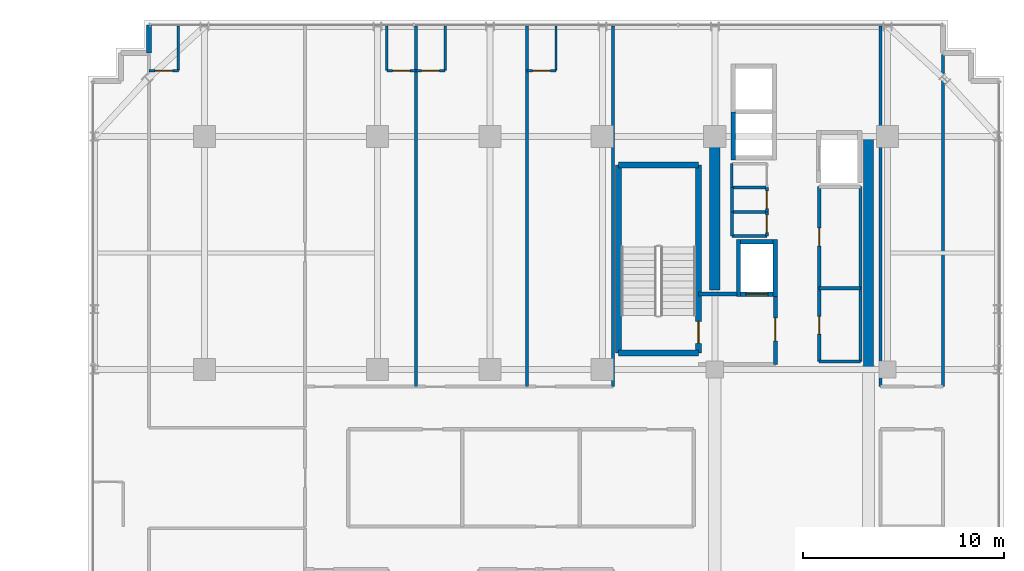
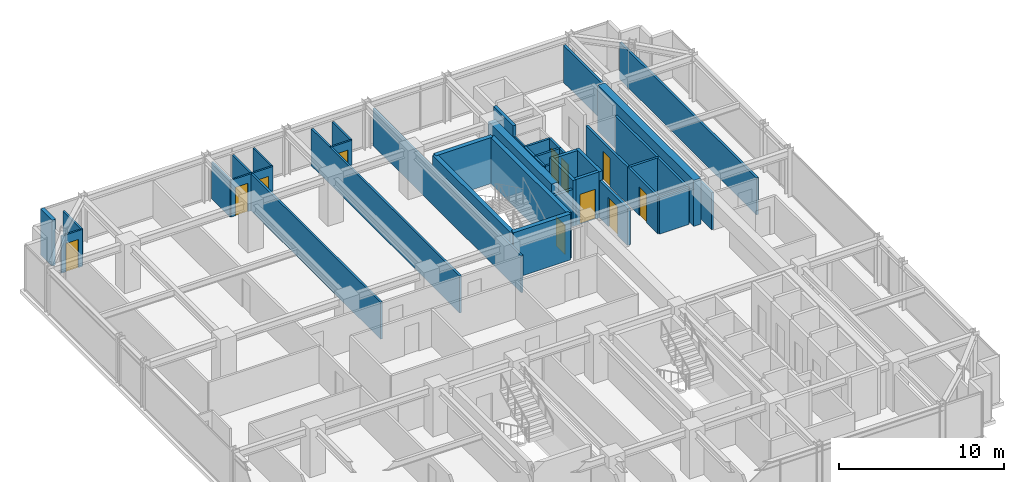
# One storey, part 27 of 31: 41 walls, 11 doors, 11 openings.
"""IFC4 building model written with IfcOpenShell, lengths in metres."""

from ifc_helpers import new_model, si_unit, direction, frame, frame_2d, origin, place, context, subcontext, project, spatial, rectangle, extrude, source, transform, mapped, material, layer, layer_set, type_object, element, fill, save


model = new_model("IFC4")

# Units and contexts
model_context = context("Model", 3, precision=1e-05, world=origin(), true_north=direction((0.0, 1.0)))
body_context = subcontext(model_context, "Body", "Model", "MODEL_VIEW")
ifc_project = project(units=[si_unit("LENGTHUNIT", "METRE"), si_unit("AREAUNIT", "SQUARE_METRE"), si_unit("VOLUMEUNIT", "CUBIC_METRE"), si_unit("PLANEANGLEUNIT", "RADIAN"), si_unit("MASSUNIT", "GRAM", prefix="KILO")], contexts=[model_context])

# Site, building, storey
site_placement = place(None, origin())
site = spatial("IfcSite", under=ifc_project, at=site_placement, CompositionType="ELEMENT")
building_placement = place(site_placement, origin())
building = spatial("IfcBuilding", under=site, at=building_placement, Name="Nahalor Promenade Grand Hotel", CompositionType="ELEMENT")
storey_placement = place(building_placement, frame((0.0, 0.0, 156.300048828125)))
storey = spatial("IfcBuildingStorey", under=building, at=storey_placement, Name="L39", CompositionType="ELEMENT", Elevation=156.300048828125)

# Walls
ifc_material_1 = material(Name="Concrete B-60 (C50/60)", Category="concrete")
ifc_layer_1 = layer(ifc_material_1, 0.5)
ifc_layer_set_1 = layer_set([ifc_layer_1], Name="Concrete B-60 (C50/60)")
wall_type_1 = type_object("IfcWallType", Name="Wall-CoreShear-500", PredefinedType="SHEAR", material=ifc_layer_set_1)
shared_shape_1 = source(origin(), body_context, "Body", "SweptSolid", [
    extrude(rectangle(XDim=7.64990234375, YDim=0.5, at=frame_2d((3.824951171875, 0.0))), origin(), (0.0, 0.0, 1.0), 3.389892578125),
])
wall_1_placement = place(storey_placement, frame((8.39990234375, 9.35009765625, 0.0), z_axis=(0.0, 0.0, 1.0), x_axis=(0.0, 1.0, 0.0)))
element("IfcWall", 1, at=wall_1_placement, inside=storey, type_object=wall_type_1, Name="CWALL-L39-NW", PredefinedType="SHEAR", context=body_context, shape_type="MappedRepresentation", body=[
    mapped(shared_shape_1, transform((0.0, 0.0, 0.0), scale=1.0)),
])
shared_shape_2 = source(origin(), body_context, "Body", "SweptSolid", [
    extrude(rectangle(XDim=11.60009765625, YDim=0.5, at=frame_2d((5.800048828125, 0.0))), origin(), (0.0, 0.0, 1.0), 3.389892578125),
])
wall_2_placement = place(storey_placement, frame((16.050048828125, 5.39990234375, 0.0), z_axis=(0.0, 0.0, 1.0), x_axis=(0.0, 1.0, 0.0)))
element("IfcWall", 2, at=wall_2_placement, inside=storey, type_object=wall_type_1, Name="CWALL-L39-NE", PredefinedType="SHEAR", context=body_context, shape_type="MappedRepresentation", body=[
    mapped(shared_shape_2, transform((0.0, 0.0, 0.0), scale=1.0)),
])
ifc_material_2 = material(Name="Concrete B-50 (C40/50)", Category="concrete")
ifc_layer_2 = layer(ifc_material_2, 0.300048828125)
ifc_layer_set_2 = layer_set([ifc_layer_2], Name="Concrete B-50 (C40/50)")
wall_type_2 = type_object("IfcWallType", Name="Wall-ShaftShear-300", PredefinedType="SHEAR", material=ifc_layer_set_2)
shared_shape_3 = source(origin(), body_context, "Body", "SweptSolid", [
    extrude(rectangle(XDim=3.97998046875, YDim=0.300048828125, at=frame_2d((1.989990234375, 0.0))), origin(), (0.0, 0.0, 1.0), 3.389892578125),
])
for number, where, z_axis, x_axis, name in (
    (3, (3.610107421875, 6.2099609375, 0.0), (0.0, 0.0, 1.0), (1.0, 0.0, 0.0), "L39 Exit Stair ST1 Shaft Wall S"),
    (4, (3.610107421875, 15.590087890625, 0.0), (0.0, 0.0, 1.0), (1.0, 0.0, 0.0), "L39 Exit Stair ST1 Shaft Wall N"),
):
    element("IfcWall", number, at=place(storey_placement, frame(where, z_axis=z_axis, x_axis=x_axis)), inside=storey, type_object=wall_type_2, Name=name, PredefinedType="SHEAR", context=body_context, shape_type="MappedRepresentation", body=[
        mapped(shared_shape_3, transform((0.0, 0.0, 0.0), scale=1.0)),
    ])
shared_shape_4 = source(origin(), body_context, "Body", "SweptSolid", [
    extrude(rectangle(XDim=9.380126953125, YDim=0.300048828125, at=frame_2d((4.68994140625, 0.0))), origin(), (0.0, 0.0, 1.0), 3.389892578125),
])
wall_3_placement = place(storey_placement, frame((3.610107421875, 6.2099609375, 0.0), z_axis=(0.0, 0.0, 1.0), x_axis=(0.0, 1.0, 0.0)))
element("IfcWall", 5, at=wall_3_placement, inside=storey, type_object=wall_type_2, Name="L39 Exit Stair ST1 Shaft Wall W", PredefinedType="SHEAR", context=body_context, shape_type="MappedRepresentation", body=[
    mapped(shared_shape_4, transform((0.0, 0.0, 0.0), scale=1.0)),
])

# Wall, opening, door
wall_4_placement = place(storey_placement, frame((7.590087890625, 6.2099609375, 0.0), z_axis=(0.0, 0.0, 1.0), x_axis=(0.0, 1.0, 0.0)))
wall_4 = element("IfcWall", 6, at=wall_4_placement, inside=storey, type_object=wall_type_2, Name="L39 Exit Stair ST1 Shaft Wall E", PredefinedType="SHEAR", context=body_context, shape_type="MappedRepresentation", body=[
    mapped(shared_shape_4, transform((0.0, 0.0, 0.0), scale=1.0)),
])
opening_1_placement = place(wall_4_placement, frame((0.489990234375, 0.0, 0.0)))
opening_1 = element("IfcOpeningElement", 7, at=opening_1_placement, cuts=wall_4, Name="Opening D-ST1", PredefinedType="OPENING", context=body_context, shape_type="SweptSolid", body=[
    extrude(rectangle(XDim=1.10009765625, YDim=2.14990234375, at=frame_2d((0.550048828125, 1.074951171875))), frame((0.0, 0.159912109375, 0.0), z_axis=(0.0, -1.0, 0.0), x_axis=(1.0, 0.0, 0.0)), (0.0, 0.0, 1.0), 0.320068359375),
])
ifc_material_3 = material(Name="Steel S355JR", Category="steel")
door_type_1 = type_object("IfcDoorType", Name="Door-StairFire-1100", OperationType="NOTDEFINED", PredefinedType="DOOR", material=ifc_material_3)
shared_shape_5 = source(origin(), body_context, "Body", "SweptSolid", [
    extrude(rectangle(XDim=1.10009765625, YDim=2.14990234375, at=frame_2d((0.550048828125, 1.074951171875))), frame((0.0, 0.02490234375, 0.0), z_axis=(0.0, -1.0, 0.0), x_axis=(1.0, 0.0, 0.0)), (0.0, 0.0, 1.0), 0.050048828125),
])
door_1_placement = place(opening_1_placement, origin())
door_1 = element("IfcDoor", 8, at=door_1_placement, inside=storey, type_object=door_type_1, Name="DR-STAIR-ST1-L39", OperationType="SINGLE_SWING_RIGHT", OverallHeight=2.14990234375, OverallWidth=1.10009765625, PredefinedType="DOOR", context=body_context, shape_type="MappedRepresentation", body=[
    mapped(shared_shape_5, transform((0.0, 0.0, 0.0), scale=1.0)),
])
fill(opening_1, door_1)

# Walls
ifc_layer_3 = layer(ifc_material_2, 0.219970703125)
ifc_layer_set_3 = layer_set([ifc_layer_3], Name="Concrete B-50 (C40/50)")
wall_type_3 = type_object("IfcWallType", Name="Wall-LiftShaft-220", PredefinedType="SHEAR", material=ifc_layer_set_3)
shared_shape_6 = source(origin(), body_context, "Body", "SweptSolid", [
    extrude(rectangle(XDim=2.385009765625, YDim=0.219970703125, at=frame_2d((1.1923828125, 0.0))), origin(), (0.0, 0.0, 1.0), 3.389892578125),
])
wall_5_placement = place(storey_placement, frame((9.330078125, 15.840087890625, 0.0), z_axis=(0.0, 0.0, 1.0), x_axis=(0.0, 1.0, 0.0)))
element("IfcWall", 9, at=wall_5_placement, inside=storey, type_object=wall_type_3, Name="L39 Lift OB1 Hoistway Wall W", PredefinedType="SHEAR", context=body_context, shape_type="MappedRepresentation", body=[
    mapped(shared_shape_6, transform((0.0, 0.0, 0.0), scale=1.0)),
])
shared_shape_7 = source(origin(), body_context, "Body", "SweptSolid", [
    extrude(rectangle(XDim=2.820068359375, YDim=0.219970703125, at=frame_2d((1.41015625, 0.0))), origin(), (0.0, 0.0, 1.0), 3.389892578125),
])
for number, where, z_axis, x_axis, name in (
    (10, (9.580078125, 9.0400390625, 0.0), (0.0, 0.0, 1.0), (0.0, 1.0, 0.0), "L39 Lift FL1 Hoistway Wall W"),
    (11, (11.419921875, 9.0400390625, 0.0), (0.0, 0.0, 1.0), (0.0, 1.0, 0.0), "L39 Lift FL1 Hoistway Wall E"),
):
    element("IfcWall", number, at=place(storey_placement, frame(where, z_axis=z_axis, x_axis=x_axis)), inside=storey, type_object=wall_type_3, Name=name, PredefinedType="SHEAR", context=body_context, shape_type="MappedRepresentation", body=[
        mapped(shared_shape_7, transform((0.0, 0.0, 0.0), scale=1.0)),
    ])

# Wall, opening, door
shared_shape_8 = source(origin(), body_context, "Body", "SweptSolid", [
    extrude(rectangle(XDim=1.6201171875, YDim=0.219970703125, at=frame_2d((0.81005859375, 0.0))), origin(), (0.0, 0.0, 1.0), 3.389892578125),
])
wall_6_placement = place(storey_placement, frame((9.68994140625, 9.14990234375, 0.0), z_axis=(0.0, 0.0, 1.0), x_axis=(1.0, 0.0, 0.0)))
wall_6 = element("IfcWall", 12, at=wall_6_placement, inside=storey, type_object=wall_type_3, Name="L39 Lift FL1 Hoistway Wall S", PredefinedType="SHEAR", context=body_context, shape_type="MappedRepresentation", body=[
    mapped(shared_shape_8, transform((0.0, 0.0, 0.0), scale=1.0)),
])
opening_2_placement = place(wall_6_placement, frame((0.260009765625, 0.0, 0.0)))
opening_2 = element("IfcOpeningElement", 13, at=opening_2_placement, cuts=wall_6, Name="Opening LD-02", PredefinedType="OPENING", context=body_context, shape_type="SweptSolid", body=[
    extrude(rectangle(XDim=1.10009765625, YDim=2.199951171875, at=frame_2d((0.550048828125, 1.10009765625))), frame((0.0, 0.119873046875, 0.0), z_axis=(0.0, -1.0, 0.0), x_axis=(1.0, 0.0, 0.0)), (0.0, 0.0, 1.0), 0.239990234375),
])
door_type_2 = type_object("IfcDoorType", Name="Door-LiftFF-1100", OperationType="DOUBLE_DOOR_SLIDING", PredefinedType="DOOR", material=ifc_material_3)
shared_shape_9 = source(origin(), body_context, "Body", "SweptSolid", [
    extrude(rectangle(XDim=1.10009765625, YDim=2.199951171875, at=frame_2d((0.550048828125, 1.10009765625))), frame((0.0, 0.02490234375, 0.0), z_axis=(0.0, -1.0, 0.0), x_axis=(1.0, 0.0, 0.0)), (0.0, 0.0, 1.0), 0.050048828125),
])
door_2_placement = place(opening_2_placement, frame((1.10009765625, 0.0, 0.0), z_axis=(0.0, 0.0, 1.0), x_axis=(-1.0, 0.0, 0.0)))
door_2 = element("IfcDoor", 14, at=door_2_placement, inside=storey, type_object=door_type_2, Name="DR-LIFT-FL1-L39", OperationType="DOUBLE_DOOR_SLIDING", OverallHeight=2.199951171875, OverallWidth=1.10009765625, PredefinedType="DOOR", context=body_context, shape_type="MappedRepresentation", body=[
    mapped(shared_shape_9, transform((0.0, 0.0, 0.0), scale=1.0)),
])
fill(opening_2, door_2)

# Walls
wall_7_placement = place(storey_placement, frame((9.68994140625, 11.75, 0.0), z_axis=(0.0, 0.0, 1.0), x_axis=(1.0, 0.0, 0.0)))
element("IfcWall", 15, at=wall_7_placement, inside=storey, type_object=wall_type_3, Name="L39 Lift FL1 Hoistway Wall N", PredefinedType="SHEAR", context=body_context, shape_type="MappedRepresentation", body=[
    mapped(shared_shape_8, transform((0.0, 0.0, 0.0), scale=1.0)),
])
ifc_material_4 = material(Name="Concrete B-40 (C32/40)", Category="concrete")
ifc_layer_4 = layer(ifc_material_4, 0.25)
ifc_layer_set_4 = layer_set([ifc_layer_4], Name="Concrete B-40 (C32/40)")
wall_type_4 = type_object("IfcWallType", Name="Wall-BronzePier-250", PredefinedType="STANDARD", material=ifc_layer_set_4)
shared_shape_10 = source(origin(), body_context, "Body", "SweptSolid", [
    extrude(rectangle(XDim=1.400146484375, YDim=0.25, at=frame_2d((0.7001953125, 0.0))), origin(), (0.0, 0.0, 1.0), 3.389892578125),
])
wall_8_placement = place(storey_placement, frame((-19.760009765625, 21.159912109375, 0.0), z_axis=(0.0, 0.0, 1.0), x_axis=(0.0, 1.0, 0.0)))
element("IfcWall", 16, at=wall_8_placement, inside=storey, type_object=wall_type_4, Name="W-L39-SR-09", PredefinedType="STANDARD", context=body_context, shape_type="MappedRepresentation", body=[
    mapped(shared_shape_10, transform((0.0, 0.0, 0.0), scale=1.0)),
])
ifc_layer_5 = layer(ifc_material_4, 0.199951171875)
ifc_layer_set_5 = layer_set([ifc_layer_5], Name="Concrete B-40 (C32/40)")
wall_type_5 = type_object("IfcWallType", Name="Wall-PartFire-200", PredefinedType="PARTITIONING", material=ifc_layer_set_5)
shared_shape_11 = source(origin(), body_context, "Body", "SweptSolid", [
    extrude(rectangle(XDim=1.89990234375, YDim=0.199951171875, at=frame_2d((0.949951171875, 0.0))), origin(), (0.0, 0.0, 1.0), 2.72998046875),
])
wall_9_placement = place(storey_placement, frame((7.60009765625, 9.14990234375, 0.0), z_axis=(0.0, 0.0, 1.0), x_axis=(1.0, 0.0, 0.0)))
element("IfcWall", 17, at=wall_9_placement, inside=storey, type_object=wall_type_5, Name="W-L39-FF1-N", PredefinedType="PARTITIONING", context=body_context, shape_type="MappedRepresentation", body=[
    mapped(shared_shape_11, transform((0.0, 0.0, 0.0), scale=1.0)),
])

# Wall, opening, door
shared_shape_12 = source(origin(), body_context, "Body", "SweptSolid", [
    extrude(rectangle(XDim=3.5, YDim=0.199951171875, at=frame_2d((1.75, 0.0))), origin(), (0.0, 0.0, 1.0), 2.72998046875),
])
wall_10_placement = place(storey_placement, frame((11.419921875, 5.64990234375, 0.0), z_axis=(0.0, 0.0, 1.0), x_axis=(0.0, 1.0, 0.0)))
wall_10 = element("IfcWall", 18, at=wall_10_placement, inside=storey, type_object=wall_type_5, Name="W-L39-FF1-E", PredefinedType="PARTITIONING", context=body_context, shape_type="MappedRepresentation", body=[
    mapped(shared_shape_12, transform((0.0, 0.0, 0.0), scale=1.0)),
])
opening_3_placement = place(wall_10_placement, frame((1.175048828125, 0.0, 0.0)))
opening_3 = element("IfcOpeningElement", 19, at=opening_3_placement, cuts=wall_10, Name="Opening D-FF1", PredefinedType="OPENING", context=body_context, shape_type="SweptSolid", body=[
    extrude(rectangle(XDim=1.14990234375, YDim=2.14990234375, at=frame_2d((0.574951171875, 1.074951171875))), frame((0.0, 0.10986328125, 0.0), z_axis=(0.0, -1.0, 0.0), x_axis=(1.0, 0.0, 0.0)), (0.0, 0.0, 1.0), 0.219970703125),
])
door_type_3 = type_object("IfcDoorType", Name="Door-FFLobby-1150", OperationType="NOTDEFINED", PredefinedType="DOOR", material=ifc_material_3)
shared_shape_13 = source(origin(), body_context, "Body", "SweptSolid", [
    extrude(rectangle(XDim=1.14990234375, YDim=2.14990234375, at=frame_2d((0.574951171875, 1.074951171875))), frame((0.0, 0.02490234375, 0.0), z_axis=(0.0, -1.0, 0.0), x_axis=(1.0, 0.0, 0.0)), (0.0, 0.0, 1.0), 0.050048828125),
])
door_3_placement = place(opening_3_placement, frame((1.14990234375, 0.0, 0.0), z_axis=(0.0, 0.0, 1.0), x_axis=(-1.0, 0.0, 0.0)))
door_3 = element("IfcDoor", 20, at=door_3_placement, inside=storey, type_object=door_type_3, Name="DR-L39-FFL1", OperationType="SINGLE_SWING_LEFT", OverallHeight=2.14990234375, OverallWidth=1.14990234375, PredefinedType="DOOR", context=body_context, shape_type="MappedRepresentation", body=[
    mapped(shared_shape_13, transform((0.0, 0.0, 0.0), scale=1.0)),
])
fill(opening_3, door_3)

# Walls
ifc_material_5 = material(Name="Acoustic Mineral Gypsum", Category="gypsum")
ifc_layer_6 = layer(ifc_material_5, 0.14990234375)
ifc_layer_set_6 = layer_set([ifc_layer_6], Name="Acoustic Mineral Gypsum")
wall_type_6 = type_object("IfcWallType", Name="Wall-PartService-150", PredefinedType="PARTITIONING", material=ifc_layer_set_6)
shared_shape_14 = source(origin(), body_context, "Body", "SweptSolid", [
    extrude(rectangle(XDim=1.75, YDim=0.14990234375, at=frame_2d((0.875, 0.0))), origin(), (0.0, 0.0, 1.0), 2.72998046875),
])
for number, where, z_axis, x_axis, name in (
    (21, (9.25, 12.050048828125, 0.0), (0.0, 0.0, 1.0), (1.0, 0.0, 0.0), "W-L39-CK3A-S"),
    (22, (9.25, 13.25, 0.0), (0.0, 0.0, 1.0), (1.0, 0.0, 0.0), "W-L39-CK3A-N"),
    (23, (9.25, 14.449951171875, 0.0), (0.0, 0.0, 1.0), (1.0, 0.0, 0.0), "W-L39-CK3B-N"),
):
    element("IfcWall", number, at=place(storey_placement, frame(where, z_axis=z_axis, x_axis=x_axis)), inside=storey, type_object=wall_type_6, Name=name, PredefinedType="PARTITIONING", context=body_context, shape_type="MappedRepresentation", body=[
        mapped(shared_shape_14, transform((0.0, 0.0, 0.0), scale=1.0)),
    ])
ifc_layer_7 = layer(ifc_material_5, 0.159912109375)
ifc_layer_set_7 = layer_set([ifc_layer_7], Name="Acoustic Mineral Gypsum")
wall_type_7 = type_object("IfcWallType", Name="Wall-PartCorridor-160", PredefinedType="PARTITIONING", material=ifc_layer_set_7)
shared_shape_15 = source(origin(), body_context, "Body", "SweptSolid", [
    extrude(rectangle(XDim=2.0498046875, YDim=0.159912109375, at=frame_2d((1.02490234375, 0.0))), origin(), (0.0, 0.0, 1.0), 2.72998046875),
])
for number, where, z_axis, x_axis, name in (
    (24, (13.60009765625, 5.800048828125, 0.0), (0.0, 0.0, 1.0), (1.0, 0.0, 0.0), "W-L39-FRB1A-S"),
    (25, (13.60009765625, 9.449951171875, 0.0), (0.0, 0.0, 1.0), (1.0, 0.0, 0.0), "W-L39-FRB1A-N"),
):
    element("IfcWall", number, at=place(storey_placement, frame(where, z_axis=z_axis, x_axis=x_axis)), inside=storey, type_object=wall_type_7, Name=name, PredefinedType="PARTITIONING", context=body_context, shape_type="MappedRepresentation", body=[
        mapped(shared_shape_15, transform((0.0, 0.0, 0.0), scale=1.0)),
    ])
shared_shape_16 = source(origin(), body_context, "Body", "SweptSolid", [
    extrude(rectangle(XDim=17.949951171875, YDim=0.159912109375, at=frame_2d((8.97509765625, 0.0))), origin(), (0.0, 0.0, 1.0), 2.72998046875),
])
wall_11_placement = place(storey_placement, frame((16.64990234375, 4.550048828125, 0.0), z_axis=(0.0, 0.0, 1.0), x_axis=(0.0, 1.0, 0.0)))
element("IfcWall", 26, at=wall_11_placement, inside=storey, type_object=wall_type_7, Name="W-L39-ENE-W", PredefinedType="PARTITIONING", context=body_context, shape_type="MappedRepresentation", body=[
    mapped(shared_shape_16, transform((0.0, 0.0, 0.0), scale=1.0)),
])
shared_shape_17 = source(origin(), body_context, "Body", "SweptSolid", [
    extrude(rectangle(XDim=16.530029296875, YDim=0.159912109375, at=frame_2d((8.26513671875, 0.0))), origin(), (0.0, 0.0, 1.0), 2.72998046875),
])
wall_12_placement = place(storey_placement, frame((19.760009765625, 4.550048828125, 0.0), z_axis=(0.0, 0.0, 1.0), x_axis=(0.0, 1.0, 0.0)))
element("IfcWall", 27, at=wall_12_placement, inside=storey, type_object=wall_type_7, Name="W-L39-ENE-E", PredefinedType="PARTITIONING", context=body_context, shape_type="MappedRepresentation", body=[
    mapped(shared_shape_17, transform((0.0, 0.0, 0.0), scale=1.0)),
])

# Wall, opening, door
ifc_layer_8 = layer(ifc_material_5, 0.1201171875)
ifc_layer_set_8 = layer_set([ifc_layer_8], Name="Acoustic Mineral Gypsum")
wall_type_8 = type_object("IfcWallType", Name="Wall-PartBath-120", PredefinedType="PARTITIONING", material=ifc_layer_set_8)
shared_shape_18 = source(origin(), body_context, "Body", "SweptSolid", [
    extrude(rectangle(XDim=1.449951171875, YDim=0.1201171875, at=frame_2d((0.72509765625, 0.0))), origin(), (0.0, 0.0, 1.0), 2.72998046875),
])
wall_13_placement = place(storey_placement, frame((-19.760009765625, 20.280029296875, 0.0), z_axis=(0.0, 0.0, 1.0), x_axis=(1.0, 0.0, 0.0)))
wall_13 = element("IfcWall", 28, at=wall_13_placement, inside=storey, type_object=wall_type_8, Name="W-L39-NW0-BH", PredefinedType="PARTITIONING", context=body_context, shape_type="MappedRepresentation", body=[
    mapped(shared_shape_18, transform((0.0, 0.0, 0.0), scale=1.0)),
])
opening_4_placement = place(wall_13_placement, frame((0.284912109375, 0.0, 0.0)))
opening_4 = element("IfcOpeningElement", 29, at=opening_4_placement, cuts=wall_13, Name="Opening D-03", PredefinedType="OPENING", context=body_context, shape_type="SweptSolid", body=[
    extrude(rectangle(XDim=0.8798828125, YDim=2.10009765625, at=frame_2d((0.43994140625, 1.050048828125))), frame((0.0, 0.070068359375, 0.0), z_axis=(0.0, -1.0, 0.0), x_axis=(1.0, 0.0, 0.0)), (0.0, 0.0, 1.0), 0.14013671875),
])
ifc_material_6 = material(Name="Fire-Rated Timber Composite", Category="wood")
door_type_4 = type_object("IfcDoorType", Name="Door-BathSwing-880", OperationType="NOTDEFINED", PredefinedType="DOOR", material=ifc_material_6)
shared_shape_19 = source(origin(), body_context, "Body", "SweptSolid", [
    extrude(rectangle(XDim=0.8798828125, YDim=2.10009765625, at=frame_2d((0.43994140625, 1.050048828125))), frame((0.0, 0.02490234375, 0.0), z_axis=(0.0, -1.0, 0.0), x_axis=(1.0, 0.0, 0.0)), (0.0, 0.0, 1.0), 0.050048828125),
])
door_4_placement = place(opening_4_placement, origin())
door_4 = element("IfcDoor", 30, at=door_4_placement, inside=storey, type_object=door_type_4, Name="DR-L39-NW0-BATH", OperationType="SINGLE_SWING_RIGHT", OverallHeight=2.10009765625, OverallWidth=0.8798828125, PredefinedType="DOOR", context=body_context, shape_type="MappedRepresentation", body=[
    mapped(shared_shape_19, transform((0.0, 0.0, 0.0), scale=1.0)),
])
fill(opening_4, door_4)

wall_14_placement = place(storey_placement, frame((-7.927978515625, 20.280029296875, 0.0), z_axis=(0.0, 0.0, 1.0), x_axis=(1.0, 0.0, 0.0)))
wall_14 = element("IfcWall", 31, at=wall_14_placement, inside=storey, type_object=wall_type_8, Name="W-L39-N1-BH", PredefinedType="PARTITIONING", context=body_context, shape_type="MappedRepresentation", body=[
    mapped(shared_shape_18, transform((0.0, 0.0, 0.0), scale=1.0)),
])
opening_5_placement = place(wall_14_placement, frame((0.284912109375, 0.0, 0.0)))
opening_5 = element("IfcOpeningElement", 32, at=opening_5_placement, cuts=wall_14, Name="Opening D-03", PredefinedType="OPENING", context=body_context, shape_type="SweptSolid", body=[
    extrude(rectangle(XDim=0.8798828125, YDim=2.10009765625, at=frame_2d((0.43994140625, 1.050048828125))), frame((0.0, 0.070068359375, 0.0), z_axis=(0.0, -1.0, 0.0), x_axis=(1.0, 0.0, 0.0)), (0.0, 0.0, 1.0), 0.14013671875),
])
door_5_placement = place(opening_5_placement, origin())
door_5 = element("IfcDoor", 33, at=door_5_placement, inside=storey, type_object=door_type_4, Name="DR-L39-N1-BATH", OperationType="SINGLE_SWING_RIGHT", OverallHeight=2.10009765625, OverallWidth=0.8798828125, PredefinedType="DOOR", context=body_context, shape_type="MappedRepresentation", body=[
    mapped(shared_shape_19, transform((0.0, 0.0, 0.0), scale=1.0)),
])
fill(opening_5, door_5)

wall_15_placement = place(storey_placement, frame((-6.47802734375, 20.280029296875, 0.0), z_axis=(0.0, 0.0, 1.0), x_axis=(1.0, 0.0, 0.0)))
wall_15 = element("IfcWall", 34, at=wall_15_placement, inside=storey, type_object=wall_type_8, Name="W-L39-N2-BH", PredefinedType="PARTITIONING", context=body_context, shape_type="MappedRepresentation", body=[
    mapped(shared_shape_18, transform((0.0, 0.0, 0.0), scale=1.0)),
])
opening_6_placement = place(wall_15_placement, frame((0.284912109375, 0.0, 0.0)))
opening_6 = element("IfcOpeningElement", 35, at=opening_6_placement, cuts=wall_15, Name="Opening D-03", PredefinedType="OPENING", context=body_context, shape_type="SweptSolid", body=[
    extrude(rectangle(XDim=0.8798828125, YDim=2.10009765625, at=frame_2d((0.43994140625, 1.050048828125))), frame((0.0, 0.070068359375, 0.0), z_axis=(0.0, -1.0, 0.0), x_axis=(1.0, 0.0, 0.0)), (0.0, 0.0, 1.0), 0.14013671875),
])
door_6_placement = place(opening_6_placement, origin())
door_6 = element("IfcDoor", 36, at=door_6_placement, inside=storey, type_object=door_type_4, Name="DR-L39-N2-BATH", OperationType="SINGLE_SWING_RIGHT", OverallHeight=2.10009765625, OverallWidth=0.8798828125, PredefinedType="DOOR", context=body_context, shape_type="MappedRepresentation", body=[
    mapped(shared_shape_19, transform((0.0, 0.0, 0.0), scale=1.0)),
])
fill(opening_6, door_6)

# Walls
shared_shape_20 = source(origin(), body_context, "Body", "SweptSolid", [
    extrude(rectangle(XDim=2.219970703125, YDim=0.1201171875, at=frame_2d((1.10986328125, 0.0))), origin(), (0.0, 0.0, 1.0), 2.72998046875),
])
for number, where, z_axis, x_axis, name in (
    (37, (-18.31005859375, 20.280029296875, 0.0), (0.0, 0.0, 1.0), (0.0, 1.0, 0.0), "W-L39-NW0-BV"),
    (38, (-7.927978515625, 20.280029296875, 0.0), (0.0, 0.0, 1.0), (0.0, 1.0, 0.0), "W-L39-N1-BV"),
    (39, (-5.028076171875, 20.280029296875, 0.0), (0.0, 0.0, 1.0), (0.0, 1.0, 0.0), "W-L39-N2-BV"),
    (40, (0.4951171875, 20.280029296875, 0.0), (0.0, 0.0, 1.0), (0.0, 1.0, 0.0), "W-L39-N3-BV"),
):
    element("IfcWall", number, at=place(storey_placement, frame(where, z_axis=z_axis, x_axis=x_axis)), inside=storey, type_object=wall_type_8, Name=name, PredefinedType="PARTITIONING", context=body_context, shape_type="MappedRepresentation", body=[
        mapped(shared_shape_20, transform((0.0, 0.0, 0.0), scale=1.0)),
    ])
ifc_layer_9 = layer(ifc_material_5, 0.139892578125)
ifc_layer_set_9 = layer_set([ifc_layer_9], Name="Acoustic Mineral Gypsum")
wall_type_9 = type_object("IfcWallType", Name="Wall-PartSuite-140", PredefinedType="PARTITIONING", material=ifc_layer_set_9)
shared_shape_21 = source(origin(), body_context, "Body", "SweptSolid", [
    extrude(rectangle(XDim=17.949951171875, YDim=0.139892578125, at=frame_2d((8.97509765625, 0.0))), origin(), (0.0, 0.0, 1.0), 2.72998046875),
])
for number, where, z_axis, x_axis, name in (
    (41, (3.340087890625, 4.550048828125, 0.0), (0.0, 0.0, 1.0), (0.0, 1.0, 0.0), "W-L39-NW-ENDE"),
    (42, (-6.47802734375, 4.550048828125, 0.0), (0.0, 0.0, 1.0), (0.0, 1.0, 0.0), "W-L39-NP-1"),
    (43, (-0.955078125, 4.550048828125, 0.0), (0.0, 0.0, 1.0), (0.0, 1.0, 0.0), "W-L39-NP-2"),
):
    element("IfcWall", number, at=place(storey_placement, frame(where, z_axis=z_axis, x_axis=x_axis)), inside=storey, type_object=wall_type_9, Name=name, PredefinedType="PARTITIONING", context=body_context, shape_type="MappedRepresentation", body=[
        mapped(shared_shape_21, transform((0.0, 0.0, 0.0), scale=1.0)),
    ])

# Wall, opening, door
shared_shape_22 = source(origin(), body_context, "Body", "SweptSolid", [
    extrude(rectangle(XDim=1.4501953125, YDim=0.1201171875, at=frame_2d((0.72509765625, 0.0))), origin(), (0.0, 0.0, 1.0), 2.72998046875),
])
wall_16_placement = place(storey_placement, frame((-0.955078125, 20.280029296875, 0.0), z_axis=(0.0, 0.0, 1.0), x_axis=(1.0, 0.0, 0.0)))
wall_16 = element("IfcWall", 44, at=wall_16_placement, inside=storey, type_object=wall_type_8, Name="W-L39-N3-BH", PredefinedType="PARTITIONING", context=body_context, shape_type="MappedRepresentation", body=[
    mapped(shared_shape_22, transform((0.0, 0.0, 0.0), scale=1.0)),
])
opening_7_placement = place(wall_16_placement, frame((0.284912109375, 0.0, 0.0)))
opening_7 = element("IfcOpeningElement", 45, at=opening_7_placement, cuts=wall_16, Name="Opening D-03", PredefinedType="OPENING", context=body_context, shape_type="SweptSolid", body=[
    extrude(rectangle(XDim=0.8798828125, YDim=2.10009765625, at=frame_2d((0.43994140625, 1.050048828125))), frame((0.0, 0.070068359375, 0.0), z_axis=(0.0, -1.0, 0.0), x_axis=(1.0, 0.0, 0.0)), (0.0, 0.0, 1.0), 0.14013671875),
])
door_7_placement = place(opening_7_placement, origin())
door_7 = element("IfcDoor", 46, at=door_7_placement, inside=storey, type_object=door_type_4, Name="DR-L39-N3-BATH", OperationType="SINGLE_SWING_RIGHT", OverallHeight=2.10009765625, OverallWidth=0.8798828125, PredefinedType="DOOR", context=body_context, shape_type="MappedRepresentation", body=[
    mapped(shared_shape_19, transform((0.0, 0.0, 0.0), scale=1.0)),
])
fill(opening_7, door_7)

# Wall
shared_shape_23 = source(origin(), body_context, "Body", "SweptSolid", [
    extrude(rectangle(XDim=1.199951171875, YDim=0.14990234375, at=frame_2d((0.60009765625, 0.0))), origin(), (0.0, 0.0, 1.0), 2.72998046875),
])
wall_17_placement = place(storey_placement, frame((9.25, 12.050048828125, 0.0), z_axis=(0.0, 0.0, 1.0), x_axis=(0.0, 1.0, 0.0)))
element("IfcWall", 47, at=wall_17_placement, inside=storey, type_object=wall_type_6, Name="W-L39-CK3A-W", PredefinedType="PARTITIONING", context=body_context, shape_type="MappedRepresentation", body=[
    mapped(shared_shape_23, transform((0.0, 0.0, 0.0), scale=1.0)),
])

# Wall, opening, door
wall_18_placement = place(storey_placement, frame((11.0, 12.050048828125, 0.0), z_axis=(0.0, 0.0, 1.0), x_axis=(0.0, 1.0, 0.0)))
wall_18 = element("IfcWall", 48, at=wall_18_placement, inside=storey, type_object=wall_type_6, Name="W-L39-CK3A-E", PredefinedType="PARTITIONING", context=body_context, shape_type="MappedRepresentation", body=[
    mapped(shared_shape_23, transform((0.0, 0.0, 0.0), scale=1.0)),
])
opening_8_placement = place(wall_18_placement, frame((0.159912109375, 0.0, 0.0)))
opening_8 = element("IfcOpeningElement", 49, at=opening_8_placement, cuts=wall_18, Name="Opening D-03", PredefinedType="OPENING", context=body_context, shape_type="SweptSolid", body=[
    extrude(rectangle(XDim=0.8798828125, YDim=2.10009765625, at=frame_2d((0.43994140625, 1.050048828125))), frame((0.0, 0.0849609375, 0.0), z_axis=(0.0, -1.0, 0.0), x_axis=(1.0, 0.0, 0.0)), (0.0, 0.0, 1.0), 0.169921875),
])
door_8_placement = place(opening_8_placement, origin())
door_8 = element("IfcDoor", 50, at=door_8_placement, inside=storey, type_object=door_type_4, Name="DR-L39-CK3A", OperationType="SINGLE_SWING_LEFT", OverallHeight=2.10009765625, OverallWidth=0.8798828125, PredefinedType="DOOR", context=body_context, shape_type="MappedRepresentation", body=[
    mapped(shared_shape_19, transform((0.0, 0.0, 0.0), scale=1.0)),
])
fill(opening_8, door_8)

# Wall
wall_19_placement = place(storey_placement, frame((9.25, 13.25, 0.0), z_axis=(0.0, 0.0, 1.0), x_axis=(0.0, 1.0, 0.0)))
element("IfcWall", 51, at=wall_19_placement, inside=storey, type_object=wall_type_6, Name="W-L39-CK3B-W", PredefinedType="PARTITIONING", context=body_context, shape_type="MappedRepresentation", body=[
    mapped(shared_shape_23, transform((0.0, 0.0, 0.0), scale=1.0)),
])

# Wall, opening, door
wall_20_placement = place(storey_placement, frame((11.0, 13.25, 0.0), z_axis=(0.0, 0.0, 1.0), x_axis=(0.0, 1.0, 0.0)))
wall_20 = element("IfcWall", 52, at=wall_20_placement, inside=storey, type_object=wall_type_6, Name="W-L39-CK3B-E", PredefinedType="PARTITIONING", context=body_context, shape_type="MappedRepresentation", body=[
    mapped(shared_shape_23, transform((0.0, 0.0, 0.0), scale=1.0)),
])
opening_9_placement = place(wall_20_placement, frame((0.159912109375, 0.0, 0.0)))
opening_9 = element("IfcOpeningElement", 53, at=opening_9_placement, cuts=wall_20, Name="Opening D-03", PredefinedType="OPENING", context=body_context, shape_type="SweptSolid", body=[
    extrude(rectangle(XDim=0.8798828125, YDim=2.10009765625, at=frame_2d((0.43994140625, 1.050048828125))), frame((0.0, 0.0849609375, 0.0), z_axis=(0.0, -1.0, 0.0), x_axis=(1.0, 0.0, 0.0)), (0.0, 0.0, 1.0), 0.169921875),
])
door_9_placement = place(opening_9_placement, origin())
door_9 = element("IfcDoor", 54, at=door_9_placement, inside=storey, type_object=door_type_4, Name="DR-L39-CK3B", OperationType="SINGLE_SWING_RIGHT", OverallHeight=2.10009765625, OverallWidth=0.8798828125, PredefinedType="DOOR", context=body_context, shape_type="MappedRepresentation", body=[
    mapped(shared_shape_19, transform((0.0, 0.0, 0.0), scale=1.0)),
])
fill(opening_9, door_9)

# Wall
shared_shape_24 = source(origin(), body_context, "Body", "SweptSolid", [
    extrude(rectangle(XDim=1.199951171875, YDim=0.1201171875, at=frame_2d((0.60009765625, 0.0))), origin(), (0.0, 0.0, 1.0), 2.72998046875),
])
wall_21_placement = place(storey_placement, frame((9.25, 14.449951171875, 0.0), z_axis=(0.0, 0.0, 1.0), x_axis=(0.0, 1.0, 0.0)))
element("IfcWall", 55, at=wall_21_placement, inside=storey, type_object=wall_type_8, Name="W-L39-CK3C-W", PredefinedType="PARTITIONING", context=body_context, shape_type="MappedRepresentation", body=[
    mapped(shared_shape_24, transform((0.0, 0.0, 0.0), scale=1.0)),
])

# Wall, opening, door
shared_shape_25 = source(origin(), body_context, "Body", "SweptSolid", [
    extrude(rectangle(XDim=3.64990234375, YDim=0.159912109375, at=frame_2d((1.824951171875, 0.0))), origin(), (0.0, 0.0, 1.0), 2.72998046875),
])
wall_22_placement = place(storey_placement, frame((13.60009765625, 5.800048828125, 0.0), z_axis=(0.0, 0.0, 1.0), x_axis=(0.0, 1.0, 0.0)))
wall_22 = element("IfcWall", 56, at=wall_22_placement, inside=storey, type_object=wall_type_7, Name="W-L39-FRB1A-W", PredefinedType="PARTITIONING", context=body_context, shape_type="MappedRepresentation", body=[
    mapped(shared_shape_25, transform((0.0, 0.0, 0.0), scale=1.0)),
])
opening_10_placement = place(wall_22_placement, frame((1.360107421875, 0.0, 0.0)))
opening_10 = element("IfcOpeningElement", 57, at=opening_10_placement, cuts=wall_22, Name="Opening D-03", PredefinedType="OPENING", context=body_context, shape_type="SweptSolid", body=[
    extrude(rectangle(XDim=0.8798828125, YDim=2.10009765625, at=frame_2d((0.43994140625, 1.050048828125))), frame((0.0, 0.08984375, 0.0), z_axis=(0.0, -1.0, 0.0), x_axis=(1.0, 0.0, 0.0)), (0.0, 0.0, 1.0), 0.179931640625),
])
door_10_placement = place(opening_10_placement, frame((0.8798828125, 0.0, 0.0), z_axis=(0.0, 0.0, 1.0), x_axis=(-1.0, 0.0, 0.0)))
door_10 = element("IfcDoor", 58, at=door_10_placement, inside=storey, type_object=door_type_4, Name="DR-L39-FRB1A", OperationType="SINGLE_SWING_RIGHT", OverallHeight=2.10009765625, OverallWidth=0.8798828125, PredefinedType="DOOR", context=body_context, shape_type="MappedRepresentation", body=[
    mapped(shared_shape_19, transform((0.0, 0.0, 0.0), scale=1.0)),
])
fill(opening_10, door_10)

# Wall
wall_23_placement = place(storey_placement, frame((15.64990234375, 5.800048828125, 0.0), z_axis=(0.0, 0.0, 1.0), x_axis=(0.0, 1.0, 0.0)))
element("IfcWall", 59, at=wall_23_placement, inside=storey, type_object=wall_type_7, Name="W-L39-FRB1A-E", PredefinedType="PARTITIONING", context=body_context, shape_type="MappedRepresentation", body=[
    mapped(shared_shape_25, transform((0.0, 0.0, 0.0), scale=1.0)),
])

# Wall, opening, door
shared_shape_26 = source(origin(), body_context, "Body", "SweptSolid", [
    extrude(rectangle(XDim=5.050048828125, YDim=0.159912109375, at=frame_2d((2.52490234375, 0.0))), origin(), (0.0, 0.0, 1.0), 2.72998046875),
])
wall_24_placement = place(storey_placement, frame((13.60009765625, 9.449951171875, 0.0), z_axis=(0.0, 0.0, 1.0), x_axis=(0.0, 1.0, 0.0)))
wall_24 = element("IfcWall", 60, at=wall_24_placement, inside=storey, type_object=wall_type_7, Name="W-L39-FRB1B-W", PredefinedType="PARTITIONING", context=body_context, shape_type="MappedRepresentation", body=[
    mapped(shared_shape_26, transform((0.0, 0.0, 0.0), scale=1.0)),
])
opening_11_placement = place(wall_24_placement, frame((2.110107421875, 0.0, 0.0)))
opening_11 = element("IfcOpeningElement", 61, at=opening_11_placement, cuts=wall_24, Name="Opening D-03", PredefinedType="OPENING", context=body_context, shape_type="SweptSolid", body=[
    extrude(rectangle(XDim=0.8798828125, YDim=2.10009765625, at=frame_2d((0.43994140625, 1.050048828125))), frame((0.0, 0.08984375, 0.0), z_axis=(0.0, -1.0, 0.0), x_axis=(1.0, 0.0, 0.0)), (0.0, 0.0, 1.0), 0.179931640625),
])
door_11_placement = place(opening_11_placement, frame((0.8798828125, 0.0, 0.0), z_axis=(0.0, 0.0, 1.0), x_axis=(-1.0, 0.0, 0.0)))
door_11 = element("IfcDoor", 62, at=door_11_placement, inside=storey, type_object=door_type_4, Name="DR-L39-FRB1B", OperationType="SINGLE_SWING_LEFT", OverallHeight=2.10009765625, OverallWidth=0.8798828125, PredefinedType="DOOR", context=body_context, shape_type="MappedRepresentation", body=[
    mapped(shared_shape_19, transform((0.0, 0.0, 0.0), scale=1.0)),
])
fill(opening_11, door_11)

# Wall
wall_25_placement = place(storey_placement, frame((15.64990234375, 9.449951171875, 0.0), z_axis=(0.0, 0.0, 1.0), x_axis=(0.0, 1.0, 0.0)))
element("IfcWall", 63, at=wall_25_placement, inside=storey, type_object=wall_type_7, Name="W-L39-FRB1B-E", PredefinedType="PARTITIONING", context=body_context, shape_type="MappedRepresentation", body=[
    mapped(shared_shape_26, transform((0.0, 0.0, 0.0), scale=1.0)),
])

save(model, "model.ifc")
